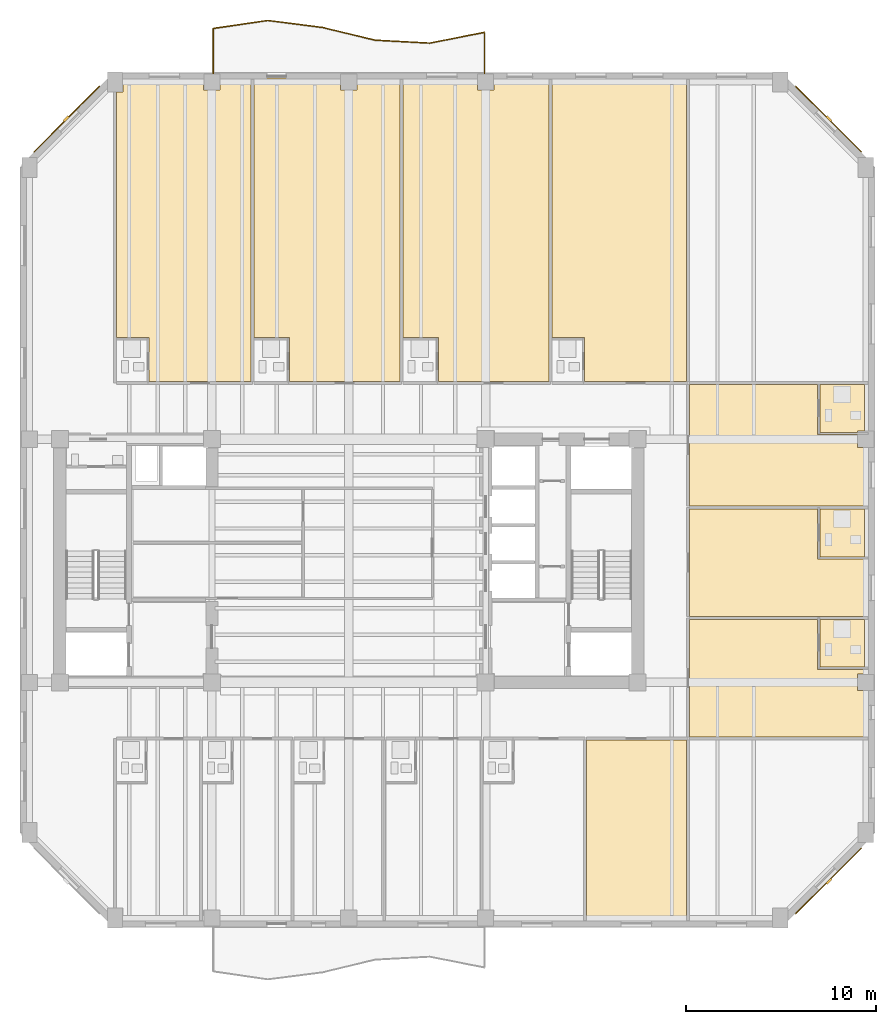
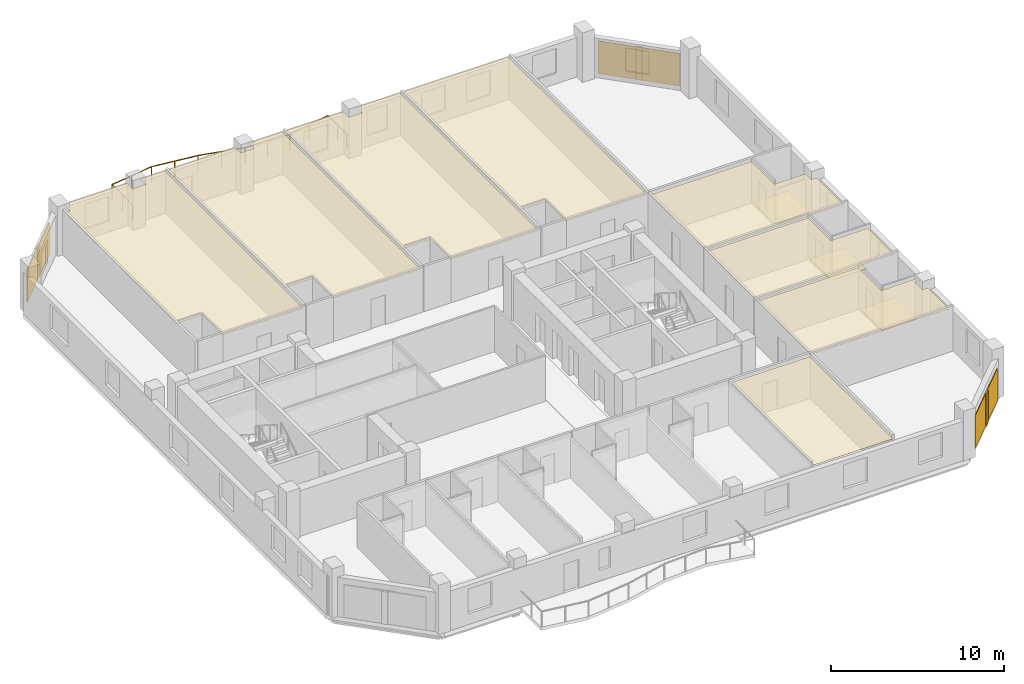
# One storey, part 10 of 11: 14 coverings, 3 shading devices, 1 railing.
"""IFC4 building model written with IfcOpenShell, lengths in metres."""

from ifc_helpers import new_model, si_unit, direction, frame, origin, origin_2d, place, context, subcontext, project, spatial, polyline, rectangle, circle, outline, extrude, material, layer, layer_set, type_object, element, save


model = new_model("IFC4")

# Units and contexts
model_context = context("Model", 3, precision=1e-05, world=origin(), true_north=direction((0.0, 1.0)))
body_context = subcontext(model_context, "Body", "Model", "MODEL_VIEW")
ifc_project = project(units=[si_unit("LENGTHUNIT", "METRE"), si_unit("AREAUNIT", "SQUARE_METRE"), si_unit("VOLUMEUNIT", "CUBIC_METRE"), si_unit("PLANEANGLEUNIT", "RADIAN"), si_unit("MASSUNIT", "GRAM", prefix="KILO")], contexts=[model_context])

# Site, building, storey
site_placement = place(None, origin())
site = spatial("IfcSite", under=ifc_project, at=site_placement, CompositionType="ELEMENT")
building_placement = place(site_placement, origin())
building = spatial("IfcBuilding", under=site, at=building_placement, Name="Kranthara Brick Stack", CompositionType="ELEMENT")
storey_placement = place(building_placement, frame((0.0, 0.0, 176.300048828125)))
storey = spatial("IfcBuildingStorey", under=building, at=storey_placement, Name="L45", CompositionType="ELEMENT", Elevation=176.300048828125)

# Coverings
ifc_material_1 = material(Name="Perforated mineral-fibre acoustic ceiling tile", Category="other")
ifc_layer_1 = layer(ifc_material_1, 0.02490234375)
ifc_layer_set_1 = layer_set([ifc_layer_1], Name="Perforated mineral-fibre acoustic ceiling tile")
covering_type_1 = type_object("IfcCoveringType", Name="COV-CEIL-ACOUSTIC", PredefinedType="CEILING", material=ifc_layer_set_1)
covering_1_placement = place(storey_placement, frame((0.0, 0.0, 2.929931640625)))
element("IfcCovering", 1, at=covering_1_placement, inside=storey, type_object=covering_type_1, Name="L45 L45 Guest Sky Lounge 6 Acoustic Ceiling", PredefinedType="CEILING", context=body_context, shape_type="SweptSolid", body=[
    extrude(outline(polyline([(45.77001953125, 8.199951171875), (45.77001953125, 17.77001953125), (40.5029296875, 17.77001953125), (40.5029296875, 8.199951171875), (45.77001953125, 8.199951171875)])), origin(), (0.0, 0.0, 1.0), 0.02490234375),
])
covering_2_placement = place(storey_placement, frame((0.0, 0.0, 2.929931640625)))
element("IfcCovering", 2, at=covering_2_placement, inside=storey, type_object=covering_type_1, Name="L45 Room L45-07 Corner Junior Suite Acoustic Ceiling", PredefinedType="CEILING", context=body_context, shape_type="SweptSolid", body=[
    extrude(outline(polyline([(22.85595703125, 36.6298828125), (17.49658203125, 36.6298828125), (17.49658203125, 38.93994140625), (15.780029296875, 38.93994140625), (15.780029296875, 51.864990234375), (16.110107421875, 51.864990234375), (16.110107421875, 52.60009765625), (20.364990234375, 52.60009765625), (20.364990234375, 51.965087890625), (21.235107421875, 51.965087890625), (21.235107421875, 52.60009765625), (22.85595703125, 52.60009765625), (22.85595703125, 36.6298828125)])), origin(), (0.0, 0.0, 1.0), 0.02490234375),
])
covering_3_placement = place(storey_placement, frame((0.0, 0.0, 2.929931640625)))
element("IfcCovering", 3, at=covering_3_placement, inside=storey, type_object=covering_type_1, Name="L45 Room L45-08 Corner Junior Suite Acoustic Ceiling", PredefinedType="CEILING", context=body_context, shape_type="SweptSolid", body=[
    extrude(outline(polyline([(30.695068359375, 52.60009765625), (30.695068359375, 36.6298828125), (24.87744140625, 36.6298828125), (24.87744140625, 38.93994140625), (23.01611328125, 38.93994140625), (23.01611328125, 52.60009765625), (27.56494140625, 52.60009765625), (27.56494140625, 51.965087890625), (28.43505859375, 51.965087890625), (28.43505859375, 52.60009765625), (30.695068359375, 52.60009765625)])), origin(), (0.0, 0.0, 1.0), 0.02490234375),
])
covering_4_placement = place(storey_placement, frame((0.0, 0.0, 2.929931640625)))
element("IfcCovering", 4, at=covering_4_placement, inside=storey, type_object=covering_type_1, Name="L45 Room L45-09 Corner Junior Suite Acoustic Ceiling", PredefinedType="CEILING", context=body_context, shape_type="SweptSolid", body=[
    extrude(outline(polyline([(38.533935546875, 52.60009765625), (38.533935546875, 36.6298828125), (32.71630859375, 36.6298828125), (32.71630859375, 38.93994140625), (30.85498046875, 38.93994140625), (30.85498046875, 52.60009765625), (34.764892578125, 52.60009765625), (34.764892578125, 51.965087890625), (35.635009765625, 51.965087890625), (35.635009765625, 52.60009765625), (38.533935546875, 52.60009765625)])), origin(), (0.0, 0.0, 1.0), 0.02490234375),
])
covering_5_placement = place(storey_placement, frame((0.0, 0.0, 2.929931640625)))
element("IfcCovering", 5, at=covering_5_placement, inside=storey, type_object=covering_type_1, Name="L45 Room L45-10 Corner Junior Suite Acoustic Ceiling", PredefinedType="CEILING", context=body_context, shape_type="SweptSolid", body=[
    extrude(outline(polyline([(40.41064453125, 36.6298828125), (45.77001953125, 36.6298828125), (45.77001953125, 52.60009765625), (38.694091796875, 52.60009765625), (38.694091796875, 38.93994140625), (40.41064453125, 38.93994140625), (40.41064453125, 36.6298828125)])), origin(), (0.0, 0.0, 1.0), 0.02490234375),
])
covering_6_placement = place(storey_placement, frame((0.0, 0.0, 2.929931640625)))
element("IfcCovering", 6, at=covering_6_placement, inside=storey, type_object=covering_type_1, Name="L45 Room L45-11 Hotel Guest Room Acoustic Ceiling", PredefinedType="CEILING", context=body_context, shape_type="SweptSolid", body=[
    extrude(outline(polyline([(55.1298828125, 17.929931640625), (45.919921875, 17.929931640625), (45.919921875, 24.1201171875), (52.669921875, 24.1201171875), (52.669921875, 21.489990234375), (55.1298828125, 21.489990234375), (55.1298828125, 21.235107421875), (54.764892578125, 21.235107421875), (54.764892578125, 20.364990234375), (55.1298828125, 20.364990234375), (55.1298828125, 17.929931640625)])), origin(), (0.0, 0.0, 1.0), 0.02490234375),
])
covering_7_placement = place(storey_placement, frame((0.0, 0.0, 2.929931640625)))
element("IfcCovering", 7, at=covering_7_placement, inside=storey, type_object=covering_type_1, Name="L45 Room L45-12 Hotel Guest Room Acoustic Ceiling", PredefinedType="CEILING", context=body_context, shape_type="SweptSolid", body=[
    extrude(outline(polyline([(45.919921875, 24.280029296875), (55.1298828125, 24.280029296875), (55.1298828125, 27.2900390625), (52.669921875, 27.2900390625), (52.669921875, 29.919921875), (45.919921875, 29.919921875), (45.919921875, 24.280029296875)])), origin(), (0.0, 0.0, 1.0), 0.02490234375),
])
covering_8_placement = place(storey_placement, frame((0.0, 0.0, 2.929931640625)))
element("IfcCovering", 8, at=covering_8_placement, inside=storey, type_object=covering_type_1, Name="L45 Room L45-13 Hotel Guest Room Acoustic Ceiling", PredefinedType="CEILING", context=body_context, shape_type="SweptSolid", body=[
    extrude(outline(polyline([(55.1298828125, 30.080078125), (45.919921875, 30.080078125), (45.919921875, 36.469970703125), (52.669921875, 36.469970703125), (52.669921875, 33.840087890625), (54.764892578125, 33.840087890625), (54.764892578125, 33.1650390625), (55.1298828125, 33.1650390625), (55.1298828125, 30.080078125)])), origin(), (0.0, 0.0, 1.0), 0.02490234375),
])
ifc_material_2 = material(Name="Warm buff kiln-fired brick slip rainscreen", Category="masonry")
ifc_layer_2 = layer(ifc_material_2, 0.044921875)
ifc_layer_set_2 = layer_set([ifc_layer_2], Name="Warm buff kiln-fired brick slip rainscreen")
covering_type_2 = type_object("IfcCoveringType", Name="COV-CLAD-BRICK", PredefinedType="CLADDING", material=ifc_layer_set_2)
for number, where, z_axis, x_axis, name in (
    (9, (13.15966796875, 50.4404296875, 0.0498046875), (0.0, 0.0, 1.0), (0.707106781187, 0.707106781187, 0.0), "L45 Chamfer Brick Rainscreen Cladding NW"),
    (10, (53.240478515625, 50.4404296875, 0.0498046875), (0.0, 0.0, 1.0), (0.707106781187, -0.707106781187, 0.0), "L45 Chamfer Brick Rainscreen Cladding NE"),
    (11, (53.240478515625, 10.359619140625, 0.0498046875), (0.0, 0.0, 1.0), (-0.707106781187, -0.707106781187, 0.0), "L45 Chamfer Brick Rainscreen Cladding SE"),
):
    element("IfcCovering", number, at=place(storey_placement, frame(where, z_axis=z_axis, x_axis=x_axis)), inside=storey, type_object=covering_type_2, Name=name, PredefinedType="CLADDING", context=body_context, shape_type="SweptSolid", body=[
        extrude(rectangle(XDim=4.89306640625, YDim=0.044921875, at=origin_2d()), origin(), (0.0, 0.0, 1.0), 2.300048828125),
    ])
ifc_material_3 = material(Name="Honed terrazzo and porcelain floor finish", Category="stone")
ifc_layer_3 = layer(ifc_material_3, 0.030029296875)
ifc_layer_set_3 = layer_set([ifc_layer_3], Name="Honed terrazzo and porcelain floor finish")
covering_type_3 = type_object("IfcCoveringType", Name="COV-FLOR-STONE", PredefinedType="FLOORING", material=ifc_layer_set_3)
covering_9_placement = place(storey_placement, origin())
element("IfcCovering", 12, at=covering_9_placement, inside=storey, type_object=covering_type_3, Name="L45 Wet Room Porcelain Flooring", PredefinedType="FLOORING", context=body_context, shape_type="SweptSolid", body=[
    extrude(outline(polyline([(52.7900390625, 21.610107421875), (52.7900390625, 24.1201171875), (55.1298828125, 24.1201171875), (55.1298828125, 21.610107421875), (52.7900390625, 21.610107421875)])), origin(), (0.0, 0.0, 1.0), 0.030029296875),
])
covering_10_placement = place(storey_placement, origin())
element("IfcCovering", 13, at=covering_10_placement, inside=storey, type_object=covering_type_3, Name="L45 Wet Room Porcelain Flooring", PredefinedType="FLOORING", context=body_context, shape_type="SweptSolid", body=[
    extrude(outline(polyline([(52.7900390625, 27.409912109375), (52.7900390625, 29.919921875), (55.1298828125, 29.919921875), (55.1298828125, 27.409912109375), (52.7900390625, 27.409912109375)])), origin(), (0.0, 0.0, 1.0), 0.030029296875),
])
covering_11_placement = place(storey_placement, origin())
element("IfcCovering", 14, at=covering_11_placement, inside=storey, type_object=covering_type_3, Name="L45 Wet Room Porcelain Flooring", PredefinedType="FLOORING", context=body_context, shape_type="SweptSolid", body=[
    extrude(outline(polyline([(52.7900390625, 36.469970703125), (55.1298828125, 36.469970703125), (55.1298828125, 34.034912109375), (54.764892578125, 34.034912109375), (54.764892578125, 33.9599609375), (52.7900390625, 33.9599609375), (52.7900390625, 36.469970703125)])), origin(), (0.0, 0.0, 1.0), 0.030029296875),
])

# Railing
ifc_material_4 = material(Name="Bronze anodised aluminium and laminated glass balustrade", Category="aluminium")
railing_type = type_object("IfcRailingType", Name="RL-BALC-1120", PredefinedType="BALUSTRADE", material=ifc_material_4)
railing_placement = place(storey_placement, frame((20.860107421875, 52.840087890625, 0.0)))
element("IfcRailing", 15, at=railing_placement, inside=storey, type_object=railing_type, Name="L45 North Rippling Balcony Balustrade", PredefinedType="BALUSTRADE", context=body_context, shape_type="SweptSolid", body=[
    extrude(circle(Radius=0.02392578125, at=origin_2d()), frame((0.0, 0.0, 1.09619140625), z_axis=(-0.000205846023, 0.999999978814, 0.0), x_axis=(-0.999999978814, -0.000205846023, 0.0)), (0.0, 0.0, 1.0), 2.3720703125),
    extrude(circle(Radius=0.02392578125, at=origin_2d()), frame((-0.00048828125, 2.3720703125, 1.09619140625), z_axis=(0.989465462729, 0.144769119865, 0.0), x_axis=(-0.144769119865, 0.989465462729, 0.0)), (0.0, 0.0, 1.0), 2.9091796875),
    extrude(circle(Radius=0.02392578125, at=origin_2d()), frame((2.8779296875, 2.793212890625, 1.09619140625), z_axis=(0.991929277043, -0.12679238678, 0.0), x_axis=(0.12679238678, 0.991929277043, 0.0)), (0.0, 0.0, 1.0), 2.89794921875),
    extrude(circle(Radius=0.02392578125, at=origin_2d()), frame((5.75244140625, 2.42578125, 1.09619140625), z_axis=(0.972068043512, -0.234699209165, 0.0), x_axis=(0.234699209165, 0.972068043512, 0.0)), (0.0, 0.0, 1.0), 2.84716796875),
    extrude(circle(Radius=0.02392578125, at=origin_2d()), frame((8.52001953125, 1.757568359375, 1.09619140625), z_axis=(0.998540546458, -0.054007194697, 0.0), x_axis=(0.054007194697, 0.998540546458, 0.0)), (0.0, 0.0, 1.0), 2.884033203125),
    extrude(circle(Radius=0.02392578125, at=origin_2d()), frame((11.39990234375, 1.601806640625, 1.09619140625), z_axis=(0.981063841254, 0.193684639, 0.0), x_axis=(-0.193684639, 0.981063841254, 0.0)), (0.0, 0.0, 1.0), 2.935791015625),
    extrude(circle(Radius=0.02392578125, at=origin_2d()), frame((14.280029296875, 2.17041015625, 1.09619140625), z_axis=(-0.000112485939, -0.999999993673, 0.0), x_axis=(0.999999993673, -0.000112485939, 0.0)), (0.0, 0.0, 1.0), 2.17041015625),
    extrude(circle(Radius=0.02099609375, at=origin_2d()), origin(), (0.0, 0.0, 1.0), 1.072021484375),
    extrude(circle(Radius=0.02099609375, at=origin_2d()), frame((-0.000244140625, 1.18603515625, 0.0)), (0.0, 0.0, 1.0), 1.072021484375),
    extrude(circle(Radius=0.02099609375, at=origin_2d()), frame((-0.00048828125, 2.3720703125, 0.0)), (0.0, 0.0, 1.0), 1.072021484375),
    extrude(circle(Radius=0.02099609375, at=origin_2d()), frame((1.438720703125, 2.58251953125, 0.0)), (0.0, 0.0, 1.0), 1.072021484375),
    extrude(circle(Radius=0.02099609375, at=origin_2d()), frame((2.8779296875, 2.793212890625, 0.0)), (0.0, 0.0, 1.0), 1.072021484375),
    extrude(circle(Radius=0.02099609375, at=origin_2d()), frame((4.315185546875, 2.609375, 0.0)), (0.0, 0.0, 1.0), 1.072021484375),
    extrude(circle(Radius=0.02099609375, at=origin_2d()), frame((5.75244140625, 2.42578125, 0.0)), (0.0, 0.0, 1.0), 1.072021484375),
    extrude(circle(Radius=0.02099609375, at=origin_2d()), frame((7.13623046875, 2.091796875, 0.0)), (0.0, 0.0, 1.0), 1.072021484375),
    extrude(circle(Radius=0.02099609375, at=origin_2d()), frame((8.52001953125, 1.757568359375, 0.0)), (0.0, 0.0, 1.0), 1.072021484375),
    extrude(circle(Radius=0.02099609375, at=origin_2d()), frame((9.9599609375, 1.6796875, 0.0)), (0.0, 0.0, 1.0), 1.072021484375),
    extrude(circle(Radius=0.02099609375, at=origin_2d()), frame((11.39990234375, 1.601806640625, 0.0)), (0.0, 0.0, 1.0), 1.072021484375),
    extrude(circle(Radius=0.02099609375, at=origin_2d()), frame((12.83984375, 1.88623046875, 0.0)), (0.0, 0.0, 1.0), 1.072021484375),
    extrude(circle(Radius=0.02099609375, at=origin_2d()), frame((14.280029296875, 2.17041015625, 0.0)), (0.0, 0.0, 1.0), 1.072021484375),
    extrude(circle(Radius=0.02099609375, at=origin_2d()), frame((14.27978515625, 1.085205078125, 0.0)), (0.0, 0.0, 1.0), 1.072021484375),
    extrude(circle(Radius=0.02099609375, at=origin_2d()), frame((14.27978515625, 0.0, 0.0)), (0.0, 0.0, 1.0), 1.072021484375),
])

# Shading devices
ifc_material_5 = material(Name="Kiln-fired terracotta aerodynamic wind fin", Category="masonry")
shading_device_type = type_object("IfcShadingDeviceType", Name="SHD-BAFFLE-CORNER", PredefinedType="SHUTTER", material=ifc_material_5)
for number, where, z_axis, x_axis, name in (
    (16, (13.138427734375, 50.461669921875, 0.0498046875), (0.0, 0.0, 1.0), (0.707106781187, 0.707106781187, 0.0), "L45 Chamfer Wind-Baffle Fin NW"),
    (17, (53.26171875, 50.461669921875, 0.0498046875), (0.0, 0.0, 1.0), (0.707106781187, -0.707106781187, 0.0), "L45 Chamfer Wind-Baffle Fin NE"),
    (18, (53.26171875, 10.33837890625, 0.0498046875), (0.0, 0.0, 1.0), (-0.707106781187, -0.707106781187, 0.0), "L45 Chamfer Wind-Baffle Fin SE"),
):
    element("IfcShadingDevice", number, at=place(storey_placement, frame(where, z_axis=z_axis, x_axis=x_axis)), inside=storey, type_object=shading_device_type, Name=name, PredefinedType="SHUTTER", context=body_context, shape_type="SweptSolid", body=[
        extrude(rectangle(XDim=0.35009765625, YDim=0.1201171875, at=origin_2d()), origin(), (0.0, 0.0, 1.0), 2.300048828125),
    ])

save(model, "model.ifc")
